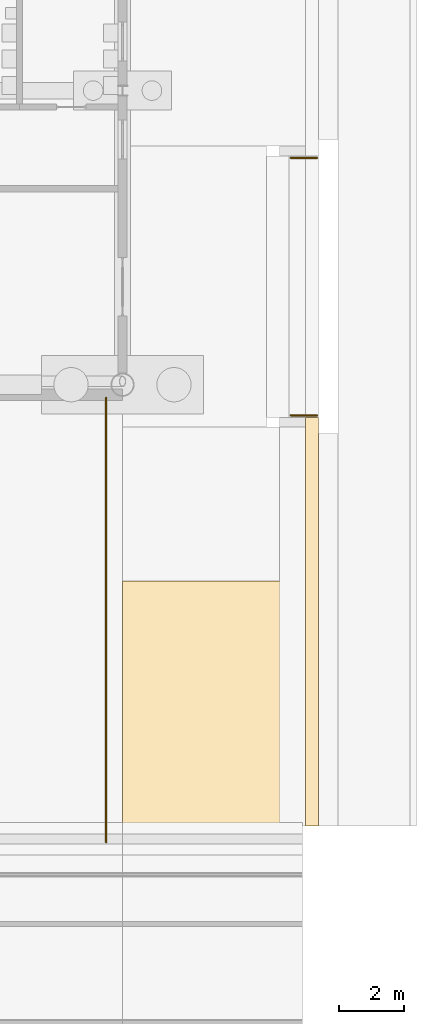
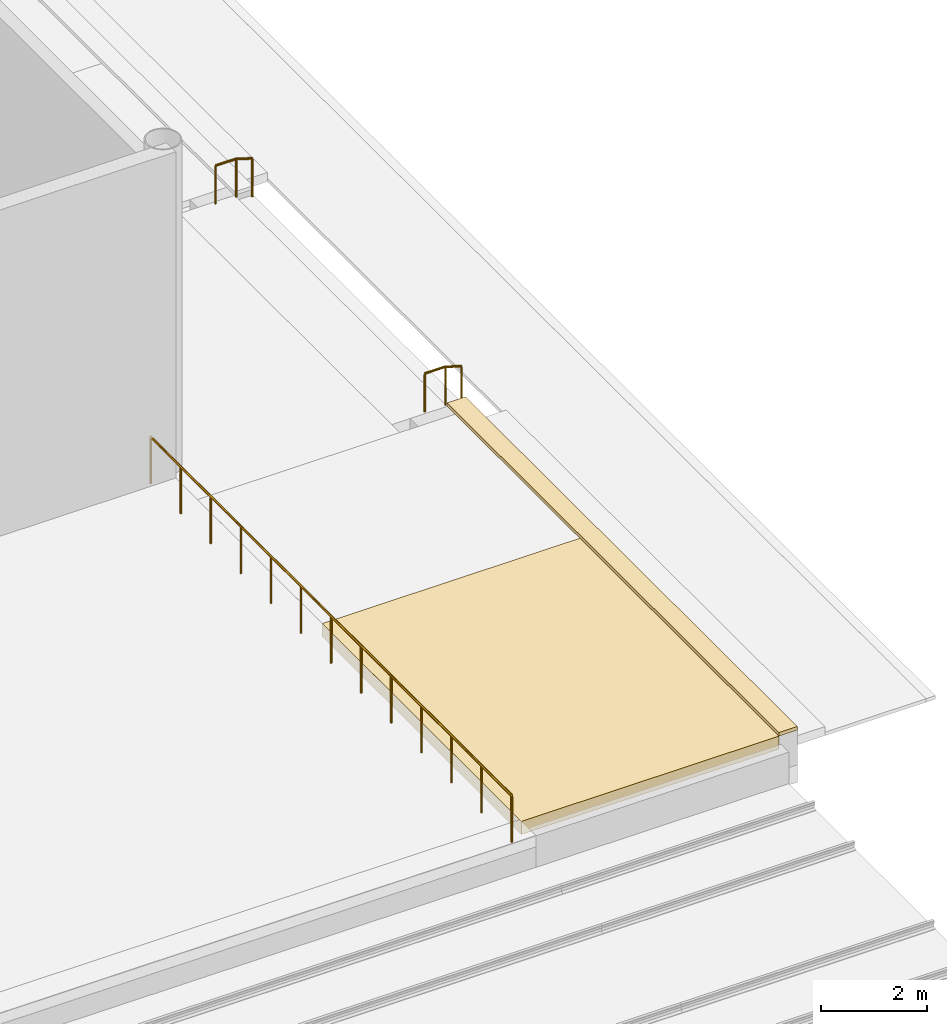
# One storey, part 216 of 250: 3 railings, 2 coverings.
"""IFC4 building model written with IfcOpenShell, lengths in metres."""

from ifc_helpers import new_model, si_unit, direction, frame, origin, origin_2d, place, context, subcontext, project, spatial, polyline, circle, outline, extrude, material, layer, layer_set, type_object, element, save


model = new_model("IFC4")

# Units and contexts
model_context = context("Model", 3, precision=1e-05, world=origin(), true_north=direction((0.0, 1.0)))
body_context = subcontext(model_context, "Body", "Model", "MODEL_VIEW")
ifc_project = project(units=[si_unit("LENGTHUNIT", "METRE"), si_unit("AREAUNIT", "SQUARE_METRE"), si_unit("VOLUMEUNIT", "CUBIC_METRE"), si_unit("PLANEANGLEUNIT", "RADIAN"), si_unit("MASSUNIT", "GRAM", prefix="KILO")], contexts=[model_context])

# Site, building, storey
site_placement = place(None, origin())
site = spatial("IfcSite", under=ifc_project, at=site_placement, CompositionType="ELEMENT")
building_placement = place(site_placement, origin())
building = spatial("IfcBuilding", under=site, at=building_placement, Name="Baradari Gate Terminus", CompositionType="ELEMENT")
storey_placement = place(building_placement, origin())
storey = spatial("IfcBuildingStorey", under=building, at=storey_placement, Name="L00", CompositionType="ELEMENT", Elevation=0.0)

# Railings
ifc_material_1 = material(Name="Stainless steel 1.4301", Category="steel")
railing_type_1 = type_object("IfcRailingType", Name="Guard GR-1 1100", PredefinedType="GUARDRAIL", material=ifc_material_1)
railing_placement = place(storey_placement, frame((242.5, 67.0, 0.0)))
element("IfcRailing", 1, at=railing_placement, inside=storey, type_object=railing_type_1, Name="Platform end guard P2", PredefinedType="GUARDRAIL", context=body_context, shape_type="SweptSolid", body=[
    extrude(circle(Radius=0.02392578125, at=origin_2d()), frame((0.0, 0.0, 1.076171875), z_axis=(0.0, 1.0, 0.0), x_axis=(-1.0, 0.0, 0.0)), (0.0, 0.0, 1.0), 13.594482421875),
    extrude(circle(Radius=0.02099609375, at=origin_2d()), origin(), (0.0, 0.0, 1.0), 1.052001953125),
    extrude(circle(Radius=0.02099609375, at=origin_2d()), frame((0.0, 1.1328125, 0.0)), (0.0, 0.0, 1.0), 1.052001953125),
    extrude(circle(Radius=0.02099609375, at=origin_2d()), frame((0.0, 2.265625, 0.0)), (0.0, 0.0, 1.0), 1.052001953125),
    extrude(circle(Radius=0.02099609375, at=origin_2d()), frame((0.0, 3.398681640625, 0.0)), (0.0, 0.0, 1.0), 1.052001953125),
    extrude(circle(Radius=0.02099609375, at=origin_2d()), frame((0.0, 4.531494140625, 0.0)), (0.0, 0.0, 1.0), 1.052001953125),
    extrude(circle(Radius=0.02099609375, at=origin_2d()), frame((0.0, 5.664306640625, 0.0)), (0.0, 0.0, 1.0), 1.052001953125),
    extrude(circle(Radius=0.02099609375, at=origin_2d()), frame((0.0, 6.79736328125, 0.0)), (0.0, 0.0, 1.0), 1.052001953125),
    extrude(circle(Radius=0.02099609375, at=origin_2d()), frame((0.0, 7.93017578125, 0.0)), (0.0, 0.0, 1.0), 1.052001953125),
    extrude(circle(Radius=0.02099609375, at=origin_2d()), frame((0.0, 9.06298828125, 0.0)), (0.0, 0.0, 1.0), 1.052001953125),
    extrude(circle(Radius=0.02099609375, at=origin_2d()), frame((0.0, 10.19580078125, 0.0)), (0.0, 0.0, 1.0), 1.052001953125),
    extrude(circle(Radius=0.02099609375, at=origin_2d()), frame((0.0, 11.32861328125, 0.0)), (0.0, 0.0, 1.0), 1.052001953125),
    extrude(circle(Radius=0.02099609375, at=origin_2d()), frame((0.0, 12.461669921875, 0.0)), (0.0, 0.0, 1.0), 1.052001953125),
    extrude(circle(Radius=0.02099609375, at=origin_2d()), frame((0.0, 13.594482421875, 0.0)), (0.0, 0.0, 1.0), 1.052001953125),
])
ifc_material_2 = material(Name="Stainless steel 1.4301", Category="steel")
railing_type_2 = type_object("IfcRailingType", Name="Handrail HR-1 900", PredefinedType="HANDRAIL", material=ifc_material_2)
for number, where, name in (
    (2, (248.949951171875, 80.06005859375, -0.11376953125), "Handrail of East exit gate steps 1"),
    (3, (248.949951171875, 87.93994140625, -0.11376953125), "Handrail of East exit gate steps 2"),
):
    element("IfcRailing", number, at=place(storey_placement, frame(where)), inside=storey, type_object=railing_type_2, Name=name, PredefinedType="HANDRAIL", context=body_context, shape_type="SweptSolid", body=[
        extrude(circle(Radius=0.02392578125, at=origin_2d()), frame((0.0, 0.0, 0.8759765625), z_axis=(-0.950980408871, 0.0, 0.309251130868), x_axis=(0.0, -1.0, 0.0)), (0.0, 0.0, 1.0), 0.367919921875),
        extrude(circle(Radius=0.02392578125, at=origin_2d()), frame((-0.349853515625, 0.0, 0.98974609375), z_axis=(-1.0, 0.0, 0.0), x_axis=(0.0, -1.0, 0.0)), (0.0, 0.0, 1.0), 0.4501953125),
        extrude(circle(Radius=0.02099609375, at=origin_2d()), origin(), (0.0, 0.0, 1.0), 0.851806640625),
        extrude(circle(Radius=0.02099609375, at=origin_2d()), frame((-0.349853515625, 0.0, 0.11376953125)), (0.0, 0.0, 1.0), 0.851806640625),
        extrude(circle(Radius=0.02099609375, at=origin_2d()), frame((-0.800048828125, 0.0, 0.11376953125)), (0.0, 0.0, 1.0), 0.851806640625),
    ])

# Coverings
ifc_material_3 = material(Name="Planted lawn")
ifc_layer_1 = layer(ifc_material_3, 0.300048828125)
ifc_layer_set_1 = layer_set([ifc_layer_1], Name="Planted lawn")
covering_type_1 = type_object("IfcCoveringType", Name="Planted lawn bed LW-1 300", PredefinedType="USERDEFINED", material=ifc_layer_set_1)
covering_1_placement = place(storey_placement, frame((0.0, 0.0, -0.300048828125)))
element("IfcCovering", 4, at=covering_1_placement, inside=storey, type_object=covering_type_1, Name="Planted lawn 14", ObjectType="LAWN", PredefinedType="USERDEFINED", context=body_context, shape_type="SweptSolid", body=[
    extrude(outline(polyline([(248.60009765625, 67.5), (248.60009765625, 75.0), (243.0, 75.0), (243.0, 67.5), (248.60009765625, 67.5)])), origin(), (0.0, 0.0, 1.0), 0.300048828125),
])
ifc_material_4 = material(Name="Sandstone", Category="masonry")
ifc_layer_2 = layer(ifc_material_4, 0.080078125)
ifc_layer_set_2 = layer_set([ifc_layer_2], Name="Sandstone")
covering_type_2 = type_object("IfcCoveringType", Name="Stone coping CG-1 80", PredefinedType="CLADDING", material=ifc_layer_set_2)
covering_2_placement = place(storey_placement, origin())
element("IfcCovering", 5, at=covering_2_placement, inside=storey, type_object=covering_type_2, Name="Stone coping E2", PredefinedType="CLADDING", context=body_context, shape_type="SweptSolid", body=[
    extrude(outline(polyline([(249.0, 67.5), (249.0, 80.0), (248.60009765625, 80.0), (248.60009765625, 67.5), (249.0, 67.5)])), origin(), (0.0, 0.0, 1.0), 0.080078125),
])

save(model, "model.ifc")
